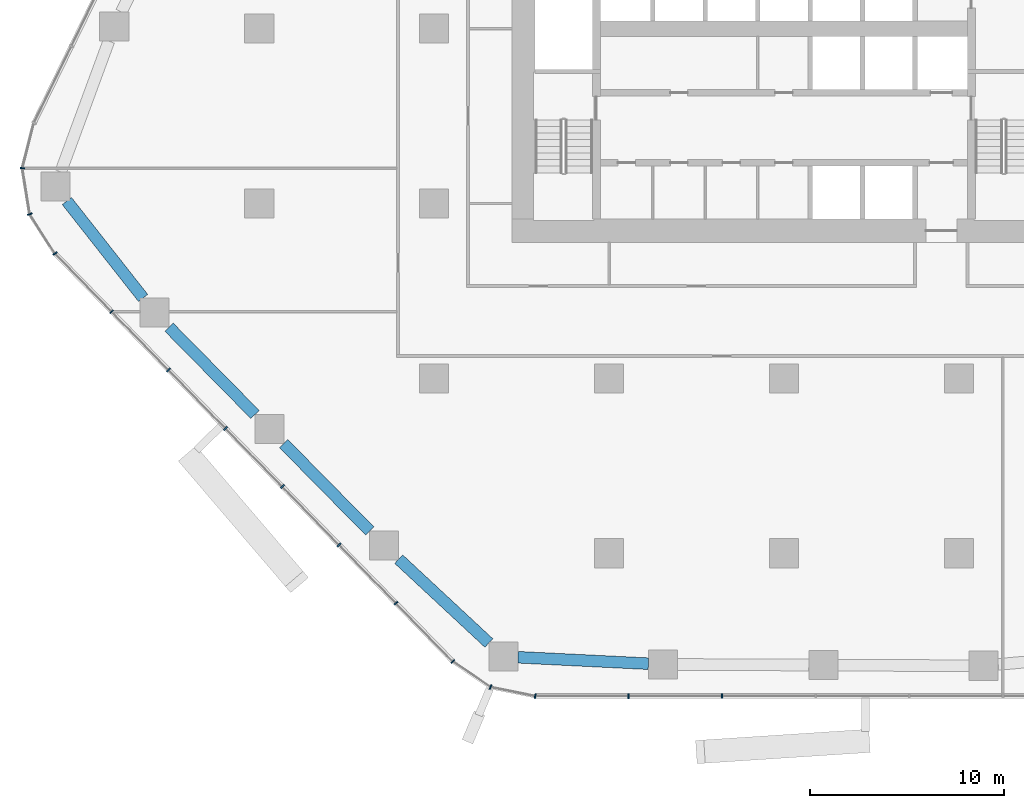
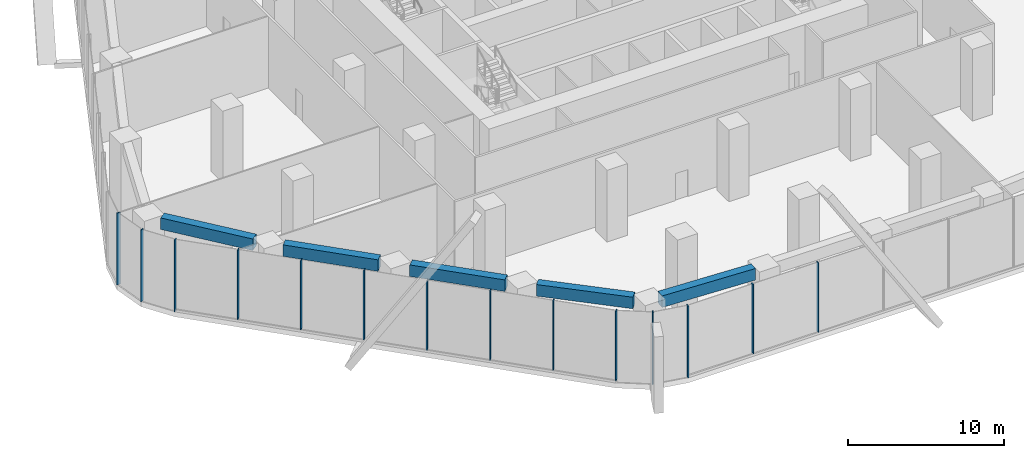
# One storey, part 2 of 19: 14 members, 5 beams, 4 elements without a shape of their own.
"""IFC4 building model written with IfcOpenShell, lengths in metres."""

from ifc_helpers import new_model, si_unit, direction, frame, origin, origin_2d, place, context, subcontext, project, spatial, rectangle, extrude, material, layer, layer_set, material_profile, profile_set, type_object, element, aggregate, save


model = new_model("IFC4")

# Units and contexts
model_context = context("Model", 3, precision=1e-05, world=origin(), true_north=direction((0.0, 1.0)))
body_context = subcontext(model_context, "Body", "Model", "MODEL_VIEW")
ifc_project = project(units=[si_unit("LENGTHUNIT", "METRE"), si_unit("AREAUNIT", "SQUARE_METRE"), si_unit("VOLUMEUNIT", "CUBIC_METRE"), si_unit("PLANEANGLEUNIT", "RADIAN"), si_unit("MASSUNIT", "GRAM", prefix="KILO")], contexts=[model_context])

# Site, building, storey
site_placement = place(None, origin())
site = spatial("IfcSite", under=ifc_project, at=site_placement, CompositionType="ELEMENT")
building_placement = place(site_placement, origin())
building = spatial("IfcBuilding", under=site, at=building_placement, Name="Dongbaek Canopy Tower", CompositionType="ELEMENT")
storey_placement = place(building_placement, frame((0.0, 0.0, 38.0)))
storey = spatial("IfcBuildingStorey", under=building, at=storey_placement, Name="L05", CompositionType="ELEMENT", Elevation=38.0)

# Curtain wall, members
ifc_material_1 = material(Name="Aluminium 6063-T6 pale anodised", Category="aluminium")
ifc_layer = layer(ifc_material_1, 0.25)
ifc_layer_set = layer_set([ifc_layer], Name="CW-4 sky-lobby curtain wall")
curtain_wall_type = type_object("IfcCurtainWallType", Name="CW-4 sky-lobby curtain wall", PredefinedType="NOTDEFINED", material=ifc_layer_set)
curtain_wall_1_placement = place(storey_placement, origin())
curtain_wall_1 = element("IfcCurtainWall", 1, at=curtain_wall_1_placement, inside=storey, type_object=curtain_wall_type, Name="CW-4 curtain wall K3.1", PredefinedType="NOTDEFINED")
ifc_material_2 = material(Name="Aluminium 6063-T6 pale anodised", Category="aluminium")
ifc_material_profile_1 = material_profile(ifc_material_2, rectangle(XDim=0.25, YDim=0.070068359375, at=origin_2d()), Name="CW-4 mullion 70 x 250")
ifc_profile_set_1 = profile_set([ifc_material_profile_1], Name="Aluminium 6063-T6 pale anodised")
member_type = type_object("IfcMemberType", Name="CW-4 mullion 70 x 250", PredefinedType="MULLION", material=ifc_profile_set_1)
member_1_placement = place(storey_placement, frame((-39.182373046875, -7.185546875, 0.0), z_axis=(0.0, 0.0, 1.0), x_axis=(-0.998993342406, 0.04485868732, 0.0)))
member_1 = element("IfcMember", 2, at=member_1_placement, type_object=member_type, Name="CW-4 mullion K3.1.2", PredefinedType="MULLION", context=body_context, shape_type="SweptSolid", body=[
    extrude(rectangle(XDim=0.25, YDim=0.070068359375, at=origin_2d()), origin(), (0.0, 0.0, 1.0), 5.60009765625),
])
member_2_placement = place(storey_placement, frame((-38.802001953125, -9.5498046875, 0.0), z_axis=(0.0, 0.0, 1.0), x_axis=(-0.934483766452, -0.356005744669, 0.0)))
member_2 = element("IfcMember", 3, at=member_2_placement, type_object=member_type, Name="CW-4 mullion K3.1.3", PredefinedType="MULLION", context=body_context, shape_type="SweptSolid", body=[
    extrude(rectangle(XDim=0.25, YDim=0.070068359375, at=origin_2d()), origin(), (0.0, 0.0, 1.0), 5.60009765625),
])
member_3_placement = place(storey_placement, frame((-37.50732421875, -11.57666015625, 0.0), z_axis=(0.0, 0.0, 1.0), x_axis=(-0.8427514505, -0.538302881917, 0.0)))
member_3 = element("IfcMember", 4, at=member_3_placement, type_object=member_type, Name="CW-4 mullion K3.1.4", PredefinedType="MULLION", context=body_context, shape_type="SweptSolid", body=[
    extrude(rectangle(XDim=0.25, YDim=0.070068359375, at=origin_2d()), origin(), (0.0, 0.0, 1.0), 5.60009765625),
])
aggregate(curtain_wall_1, [member_1, member_2, member_3])

curtain_wall_2_placement = place(storey_placement, origin())
curtain_wall_2 = element("IfcCurtainWall", 5, at=curtain_wall_2_placement, inside=storey, type_object=curtain_wall_type, Name="CW-4 curtain wall F3.1", PredefinedType="NOTDEFINED")
member_4_placement = place(storey_placement, frame((-34.588623046875, -14.5693359375, 0.179931640625), z_axis=(0.0, 0.0, 1.0), x_axis=(-0.715921010909, -0.698181284581, 0.0)))
member_4 = element("IfcMember", 6, at=member_4_placement, type_object=member_type, Name="CW-4 mullion F3.1.2", PredefinedType="MULLION", context=body_context, shape_type="SweptSolid", body=[
    extrude(rectangle(XDim=0.25, YDim=0.070068359375, at=origin_2d()), origin(), (0.0, 0.0, 1.0), 5.420166015625),
])
member_5_placement = place(storey_placement, frame((-31.6630859375, -17.5693359375, 0.179931640625), z_axis=(0.0, 0.0, 1.0), x_axis=(-0.715921010909, -0.698181284581, 0.0)))
member_5 = element("IfcMember", 7, at=member_5_placement, type_object=member_type, Name="CW-4 mullion F3.1.3", PredefinedType="MULLION", context=body_context, shape_type="SweptSolid", body=[
    extrude(rectangle(XDim=0.25, YDim=0.070068359375, at=origin_2d()), origin(), (0.0, 0.0, 1.0), 5.420166015625),
])
member_6_placement = place(storey_placement, frame((-28.7373046875, -20.569580078125, 0.179931640625), z_axis=(0.0, 0.0, 1.0), x_axis=(-0.715921010909, -0.698181284581, 0.0)))
member_6 = element("IfcMember", 8, at=member_6_placement, type_object=member_type, Name="CW-4 mullion F3.1.4", PredefinedType="MULLION", context=body_context, shape_type="SweptSolid", body=[
    extrude(rectangle(XDim=0.25, YDim=0.070068359375, at=origin_2d()), origin(), (0.0, 0.0, 1.0), 5.420166015625),
])
member_7_placement = place(storey_placement, frame((-25.811767578125, -23.569580078125, 0.179931640625), z_axis=(0.0, 0.0, 1.0), x_axis=(-0.715921010909, -0.698181284581, 0.0)))
member_7 = element("IfcMember", 9, at=member_7_placement, type_object=member_type, Name="CW-4 mullion F3.1.5", PredefinedType="MULLION", context=body_context, shape_type="SweptSolid", body=[
    extrude(rectangle(XDim=0.25, YDim=0.070068359375, at=origin_2d()), origin(), (0.0, 0.0, 1.0), 5.420166015625),
])
member_8_placement = place(storey_placement, frame((-22.885986328125, -26.569580078125, 0.179931640625), z_axis=(0.0, 0.0, 1.0), x_axis=(-0.715921010909, -0.698181284581, 0.0)))
member_8 = element("IfcMember", 10, at=member_8_placement, type_object=member_type, Name="CW-4 mullion F3.1.6", PredefinedType="MULLION", context=body_context, shape_type="SweptSolid", body=[
    extrude(rectangle(XDim=0.25, YDim=0.070068359375, at=origin_2d()), origin(), (0.0, 0.0, 1.0), 5.420166015625),
])
member_9_placement = place(storey_placement, frame((-19.960205078125, -29.569580078125, 0.179931640625), z_axis=(0.0, 0.0, 1.0), x_axis=(-0.715921010909, -0.698181284581, 0.0)))
member_9 = element("IfcMember", 11, at=member_9_placement, type_object=member_type, Name="CW-4 mullion F3.1.7", PredefinedType="MULLION", context=body_context, shape_type="SweptSolid", body=[
    extrude(rectangle(XDim=0.25, YDim=0.070068359375, at=origin_2d()), origin(), (0.0, 0.0, 1.0), 5.420166015625),
])
member_10_placement = place(storey_placement, frame((-17.04150390625, -32.5625, 0.179931640625), z_axis=(0.0, 0.0, 1.0), x_axis=(-0.715921010909, -0.698181284581, 0.0)))
member_10 = element("IfcMember", 12, at=member_10_placement, type_object=member_type, Name="CW-4 mullion F3.1.8", PredefinedType="MULLION", context=body_context, shape_type="SweptSolid", body=[
    extrude(rectangle(XDim=0.25, YDim=0.070068359375, at=origin_2d()), origin(), (0.0, 0.0, 1.0), 5.420166015625),
])
aggregate(curtain_wall_2, [member_4, member_5, member_6, member_7, member_8, member_9, member_10])

curtain_wall_3_placement = place(storey_placement, origin())
curtain_wall_3 = element("IfcCurtainWall", 13, at=curtain_wall_3_placement, inside=storey, type_object=curtain_wall_type, Name="CW-4 curtain wall K4.1", PredefinedType="NOTDEFINED")
member_11_placement = place(storey_placement, frame((-15.100341796875, -33.8857421875, 0.0), z_axis=(0.0, 0.0, 1.0), x_axis=(-0.388229079862, -0.92156290157, 0.0)))
member_11 = element("IfcMember", 14, at=member_11_placement, type_object=member_type, Name="CW-4 mullion K4.1.2", PredefinedType="MULLION", context=body_context, shape_type="SweptSolid", body=[
    extrude(rectangle(XDim=0.25, YDim=0.070068359375, at=origin_2d()), origin(), (0.0, 0.0, 1.0), 5.60009765625),
])
member_12_placement = place(storey_placement, frame((-12.797607421875, -34.350341796875, 0.0), z_axis=(0.0, 0.0, 1.0), x_axis=(-0.197779897497, -0.980246454799, 0.0)))
member_12 = element("IfcMember", 15, at=member_12_placement, type_object=member_type, Name="CW-4 mullion K4.1.3", PredefinedType="MULLION", context=body_context, shape_type="SweptSolid", body=[
    extrude(rectangle(XDim=0.25, YDim=0.070068359375, at=origin_2d()), origin(), (0.0, 0.0, 1.0), 5.60009765625),
])
aggregate(curtain_wall_3, [member_11, member_12])

curtain_wall_4_placement = place(storey_placement, origin())
curtain_wall_4 = element("IfcCurtainWall", 16, at=curtain_wall_4_placement, inside=storey, type_object=curtain_wall_type, Name="CW-4 curtain wall F4.1", PredefinedType="NOTDEFINED")
member_13_placement = place(storey_placement, frame((-7.992919921875, -34.34765625, 0.179931640625), z_axis=(0.0, 0.0, 1.0), x_axis=(0.000524044387, -0.999999862689, 0.0)))
member_13 = element("IfcMember", 17, at=member_13_placement, type_object=member_type, Name="CW-4 mullion F4.1.2", PredefinedType="MULLION", context=body_context, shape_type="SweptSolid", body=[
    extrude(rectangle(XDim=0.25, YDim=0.070068359375, at=origin_2d()), origin(), (0.0, 0.0, 1.0), 5.420166015625),
])
member_14_placement = place(storey_placement, frame((-3.17822265625, -34.34521484375, 0.179931640625), z_axis=(0.0, 0.0, 1.0), x_axis=(0.000524044387, -0.999999862689, 0.0)))
member_14 = element("IfcMember", 18, at=member_14_placement, type_object=member_type, Name="CW-4 mullion F4.1.3", PredefinedType="MULLION", context=body_context, shape_type="SweptSolid", body=[
    extrude(rectangle(XDim=0.25, YDim=0.070068359375, at=origin_2d()), origin(), (0.0, 0.0, 1.0), 5.420166015625),
])
aggregate(curtain_wall_4, [member_13, member_14])

# Beams
ifc_material_3 = material(Name="Concrete C80", Category="concrete")
ifc_material_profile_2 = material_profile(ifc_material_3, rectangle(XDim=0.60009765625, YDim=0.89990234375, at=origin_2d()), Name="RC EDGE BEAM 600x900 C80")
ifc_profile_set_2 = profile_set([ifc_material_profile_2], Name="Concrete C80")
beam_type = type_object("IfcBeamType", Name="RC EDGE BEAM 600x900 C80", PredefinedType="BEAM", material=ifc_profile_set_2)
beam_1_placement = place(storey_placement, frame((-6.971923828125, -32.68017578125, 5.14990234375), z_axis=(-0.998791258722, 0.049153041612, 0.0), x_axis=(-0.049153041612, -0.998791258722, 0.0)))
element("IfcBeam", 19, at=beam_1_placement, inside=storey, type_object=beam_type, Name="EDGEBEAM:L05:03", PredefinedType="BEAM", context=body_context, shape_type="SweptSolid", body=[
    extrude(rectangle(XDim=0.60009765625, YDim=0.89990234375, at=origin_2d()), origin(), (0.0, 0.0, 1.0), 6.72021484375),
])
beam_2_placement = place(storey_placement, frame((-15.18408203125, -31.615478515625, 5.14990234375), z_axis=(-0.732207291567, 0.681081846899, 0.0), x_axis=(-0.681081846899, -0.732207291567, 0.0)))
element("IfcBeam", 20, at=beam_2_placement, inside=storey, type_object=beam_type, Name="EDGEBEAM:L05:04", PredefinedType="BEAM", context=body_context, shape_type="SweptSolid", body=[
    extrude(rectangle(XDim=0.60009765625, YDim=0.89990234375, at=origin_2d()), origin(), (0.0, 0.0, 1.0), 6.3369140625),
])
beam_3_placement = place(storey_placement, frame((-21.312744140625, -25.85205078125, 5.14990234375), z_axis=(-0.701726082417, 0.712446843811, 0.0), x_axis=(-0.712446843811, -0.701726082417, 0.0)))
element("IfcBeam", 21, at=beam_3_placement, inside=storey, type_object=beam_type, Name="EDGEBEAM:L05:05", PredefinedType="BEAM", context=body_context, shape_type="SweptSolid", body=[
    extrude(rectangle(XDim=0.60009765625, YDim=0.89990234375, at=origin_2d()), origin(), (0.0, 0.0, 1.0), 6.30810546875),
])
beam_4_placement = place(storey_placement, frame((-27.216552734375, -19.85791015625, 5.14990234375), z_axis=(-0.701687682569, 0.712484663787, 0.0), x_axis=(-0.712484663787, -0.701687682569, 0.0)))
element("IfcBeam", 22, at=beam_4_placement, inside=storey, type_object=beam_type, Name="EDGEBEAM:L05:06", PredefinedType="BEAM", context=body_context, shape_type="SweptSolid", body=[
    extrude(rectangle(XDim=0.60009765625, YDim=0.89990234375, at=origin_2d()), origin(), (0.0, 0.0, 1.0), 6.308837890625),
])
beam_5_placement = place(storey_placement, frame((-32.97216796875, -13.863037109375, 5.14990234375), z_axis=(-0.618386857787, 0.785873841094, 0.0), x_axis=(-0.785873841094, -0.618386857787, 0.0)))
element("IfcBeam", 23, at=beam_5_placement, inside=storey, type_object=beam_type, Name="EDGEBEAM:L05:07", PredefinedType="BEAM", context=body_context, shape_type="SweptSolid", body=[
    extrude(rectangle(XDim=0.60009765625, YDim=0.89990234375, at=origin_2d()), origin(), (0.0, 0.0, 1.0), 6.349609375),
])

save(model, "model.ifc")
